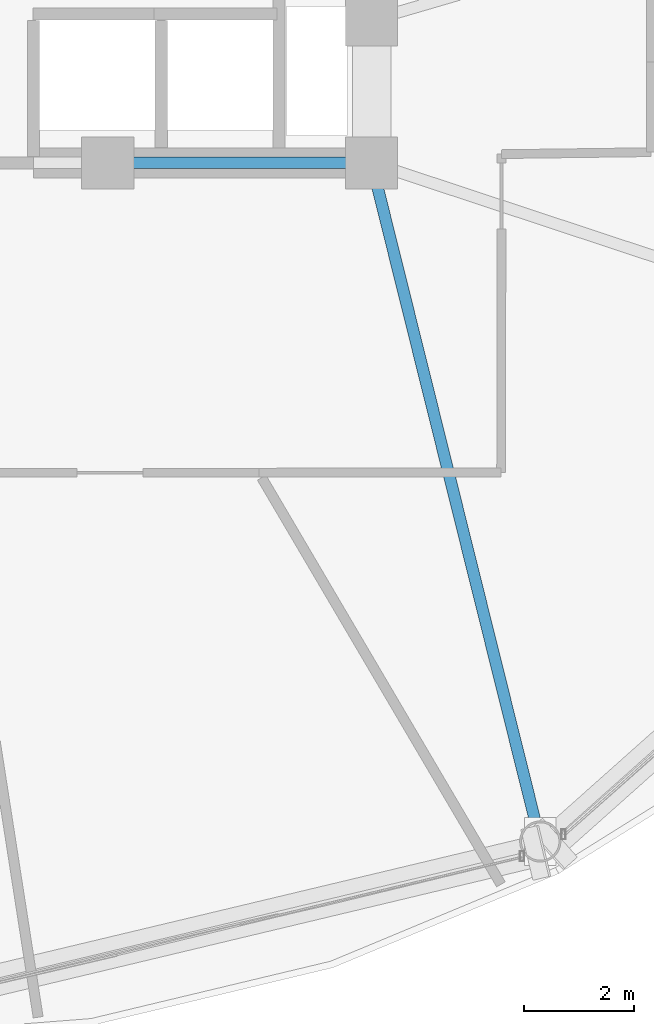
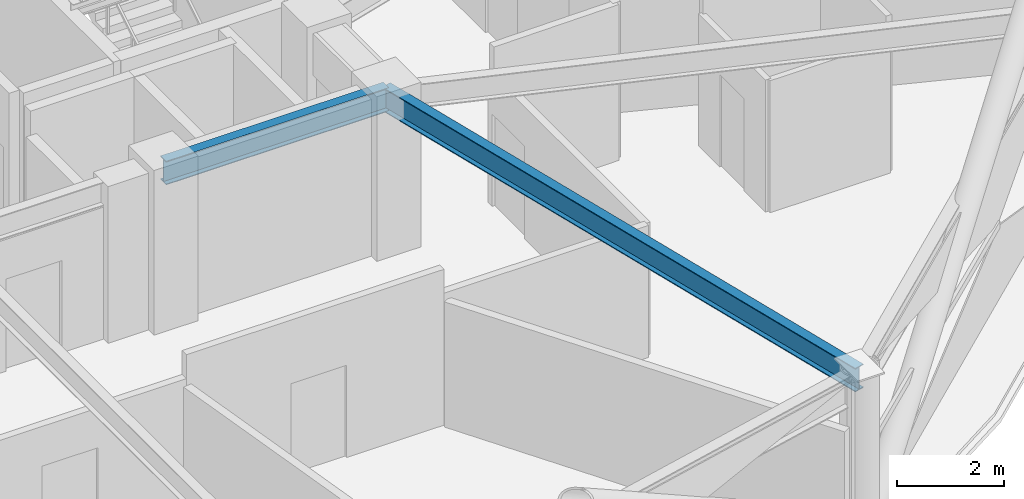
# One storey, part 9 of 30: 2 beams.
"""IFC4 building model written with IfcOpenShell, lengths in metres."""

from ifc_helpers import new_model, si_unit, direction, frame, origin, origin_2d, place, context, subcontext, project, spatial, i_section, extrude, material, material_profile, profile_set, type_object, element, save


model = new_model("IFC4")

# Units and contexts
model_context = context("Model", 3, precision=1e-05, world=origin(), true_north=direction((0.0, 1.0)))
body_context = subcontext(model_context, "Body", "Model", "MODEL_VIEW")
ifc_project = project(units=[si_unit("LENGTHUNIT", "METRE"), si_unit("AREAUNIT", "SQUARE_METRE"), si_unit("VOLUMEUNIT", "CUBIC_METRE"), si_unit("PLANEANGLEUNIT", "RADIAN"), si_unit("MASSUNIT", "GRAM", prefix="KILO")], contexts=[model_context])

# Site, building, storey
site_placement = place(None, origin())
site = spatial("IfcSite", under=ifc_project, at=site_placement, CompositionType="ELEMENT")
building_placement = place(site_placement, origin())
building = spatial("IfcBuilding", under=site, at=building_placement, Name="Vantalir Tower", CompositionType="ELEMENT")
storey_placement = place(building_placement, frame((0.0, 0.0, 119.699951171875)))
storey = spatial("IfcBuildingStorey", under=building, at=storey_placement, Name="L29", CompositionType="ELEMENT", Elevation=119.699951171875)

# Beams
ifc_material = material(Name="Steel S355", Category="steel")
ifc_material_profile = material_profile(ifc_material, i_section(OverallWidth=0.2109375, OverallDepth=0.5390625, WebThickness=0.01171875, FlangeThickness=0.018798828125, at=origin_2d()), Name="Steel S355")
ifc_profile_set = profile_set([ifc_material_profile], Name="Steel S355")
beam_type = type_object("IfcBeamType", Name="BM-RB-533x210", PredefinedType="BEAM", material=ifc_profile_set)
beam_1_placement = place(storey_placement, frame((36.300048828125, 17.800048828125, 3.300048828125), z_axis=(1.0, 0.0, 0.0), x_axis=(0.0, 1.0, 0.0)))
element("IfcBeam", 1, at=beam_1_placement, inside=storey, type_object=beam_type, Name="L29 Core Coupling Girder 04", PredefinedType="BEAM", context=body_context, shape_type="SweptSolid", body=[
    extrude(i_section(OverallWidth=0.2109375, OverallDepth=0.5390625, WebThickness=0.01171875, FlangeThickness=0.018798828125, at=origin_2d()), origin(), (0.0, 0.0, 1.0), 4.800048828125),
])
beam_2_placement = place(storey_placement, frame((44.169921875, 5.45703125, 3.300048828125), z_axis=(-0.241356653408, 0.970436482134, 0.0), x_axis=(-0.970436482134, -0.241356653408, 0.0)))
element("IfcBeam", 2, at=beam_2_placement, inside=storey, type_object=beam_type, Name="L29 Radial Floor Beam 11", PredefinedType="BEAM", context=body_context, shape_type="SweptSolid", body=[
    extrude(i_section(OverallWidth=0.2109375, OverallDepth=0.5390625, WebThickness=0.01171875, FlangeThickness=0.018798828125, at=origin_2d()), origin(), (0.0, 0.0, 1.0), 12.718994140625),
])

save(model, "model.ifc")
